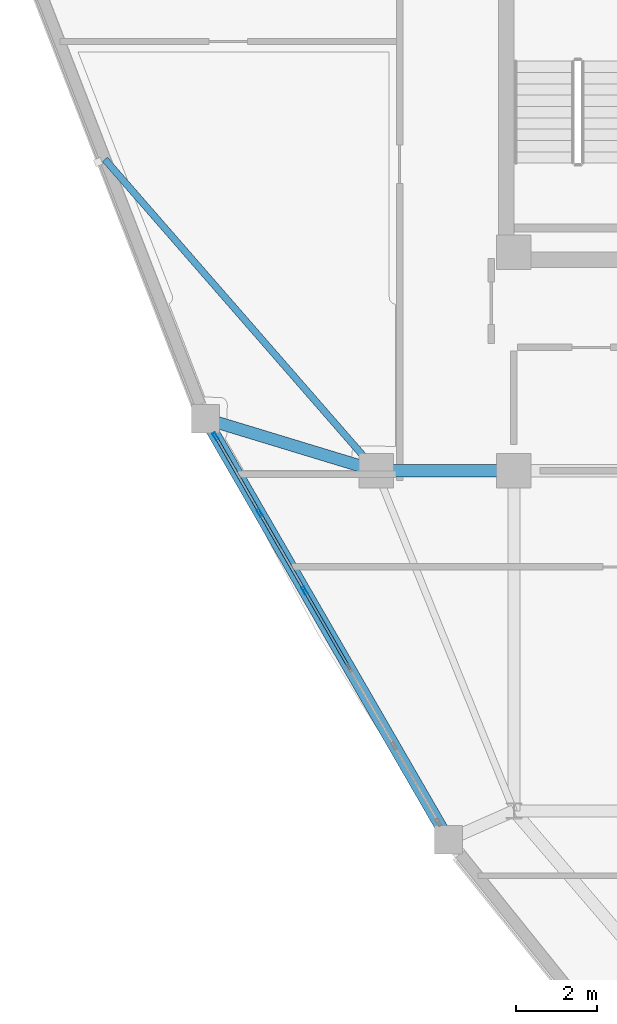
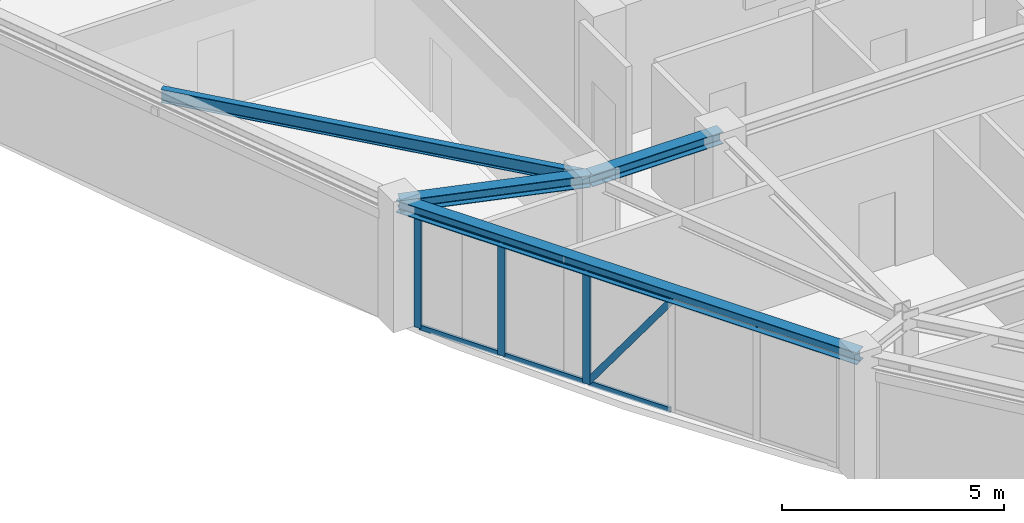
# One storey, part 5 of 16: 10 members, 4 beams, 1 element without a shape of its own.
"""IFC4 building model written with IfcOpenShell, lengths in metres."""

from ifc_helpers import new_model, si_unit, derived_unit, direction, frame, origin, origin_2d, place, context, subcontext, project, spatial, hollow_rectangle, i_section, extrude, source, transform, mapped, material, layer, layer_set, material_profile, profile_set, type_object, element, aggregate, save


model = new_model("IFC4")

# Units and contexts
model_context = context("Model", 3, precision=1e-05, world=origin(), true_north=direction((0.0, 1.0)))
body_context = subcontext(model_context, "Body", "Model", "MODEL_VIEW")
ifc_project = project(units=[si_unit("LENGTHUNIT", "METRE"), si_unit("AREAUNIT", "SQUARE_METRE"), si_unit("VOLUMEUNIT", "CUBIC_METRE"), si_unit("PLANEANGLEUNIT", "RADIAN"), si_unit("MASSUNIT", "GRAM", prefix="KILO"), derived_unit("THERMALTRANSMITTANCEUNIT", [(si_unit("POWERUNIT", "WATT"), 1), (si_unit("LENGTHUNIT", "METRE"), -2), (si_unit("THERMODYNAMICTEMPERATUREUNIT", "KELVIN"), -1)])], contexts=[model_context])

# Site, building, storey
site_placement = place(None, origin())
site = spatial("IfcSite", under=ifc_project, at=site_placement, CompositionType="ELEMENT")
building_placement = place(site_placement, origin())
building = spatial("IfcBuilding", under=site, at=building_placement, Name="Korsvarv Bourse and Concert Hall", CompositionType="ELEMENT")
storey_placement = place(building_placement, frame((0.0, 0.0, 243.0)))
storey = spatial("IfcBuildingStorey", under=building, at=storey_placement, Name="L63", CompositionType="ELEMENT", Elevation=243.0)

# Beams
ifc_material_1 = material(Name="Steel S355", Category="steel")
ifc_material_profile_1 = material_profile(ifc_material_1, i_section(OverallWidth=0.300048828125, OverallDepth=0.330078125, WebThickness=0.009521484375, FlangeThickness=0.0166015625, FilletRadius=0.02099609375, at=origin_2d()), Name="HEA 340")
ifc_profile_set_1 = profile_set([ifc_material_profile_1], Name="Steel S355")
beam_type_1 = type_object("IfcBeamType", Name="BM-HEA340", PredefinedType="BEAM", material=ifc_profile_set_1)
shared_shape_1 = source(origin(), body_context, "Body", "SweptSolid", [
    extrude(i_section(OverallWidth=0.300048828125, OverallDepth=0.330078125, WebThickness=0.009521484375, FlangeThickness=0.0166015625, FilletRadius=0.02099609375, at=origin_2d()), origin(), (0.0, 0.0, 1.0), 3.400146484375),
])
beam_1_placement = place(storey_placement, frame((24.199951171875, 32.39990234375, 3.2451171875), z_axis=(1.0, 0.0, 0.0), x_axis=(0.0, 1.0, 0.0)))
element("IfcBeam", 1, at=beam_1_placement, inside=storey, type_object=beam_type_1, Name="L63 beam B-12", PredefinedType="BEAM", context=body_context, shape_type="MappedRepresentation", body=[
    mapped(shared_shape_1, transform((0.0, 0.0, 0.0), scale=1.0)),
])
shared_shape_2 = source(origin(), body_context, "Body", "SweptSolid", [
    extrude(i_section(OverallWidth=0.300048828125, OverallDepth=0.330078125, WebThickness=0.009521484375, FlangeThickness=0.0166015625, FilletRadius=0.02099609375, at=origin_2d()), origin(), (0.0, 0.0, 1.0), 12.0087890625),
])
beam_2_placement = place(storey_placement, frame((19.97900390625, 33.68359375, 3.2451171875), z_axis=(0.500000506726, -0.866025111226, 0.0), x_axis=(0.866025111226, 0.500000506726, 0.0)))
element("IfcBeam", 2, at=beam_2_placement, inside=storey, type_object=beam_type_1, Name="L63 beam B-12", PredefinedType="BEAM", context=body_context, shape_type="MappedRepresentation", body=[
    mapped(shared_shape_2, transform((0.0, 0.0, 0.0), scale=1.0)),
])
shared_shape_3 = source(origin(), body_context, "Body", "SweptSolid", [
    extrude(i_section(OverallWidth=0.300048828125, OverallDepth=0.330078125, WebThickness=0.009521484375, FlangeThickness=0.0166015625, FilletRadius=0.02099609375, at=origin_2d()), origin(), (0.0, 0.0, 1.0), 4.411865234375),
])
beam_3_placement = place(storey_placement, frame((19.97900390625, 33.68359375, 3.2451171875), z_axis=(0.956733506354, -0.290965629962, 0.0), x_axis=(0.290965629962, 0.956733506354, 0.0)))
element("IfcBeam", 3, at=beam_3_placement, inside=storey, type_object=beam_type_1, Name="L63 beam B-12", PredefinedType="BEAM", context=body_context, shape_type="MappedRepresentation", body=[
    mapped(shared_shape_3, transform((0.0, 0.0, 0.0), scale=1.0)),
])
ifc_material_profile_2 = material_profile(ifc_material_1, i_section(OverallWidth=0.169921875, OverallDepth=0.360107421875, WebThickness=0.008056640625, FlangeThickness=0.0126953125, FilletRadius=0.01806640625, at=origin_2d()), Name="IPE 360")
ifc_profile_set_2 = profile_set([ifc_material_profile_2], Name="Steel S355")
beam_type_2 = type_object("IfcBeamType", Name="BM-IPE360", PredefinedType="JOIST", material=ifc_profile_set_2)
shared_shape_4 = source(origin(), body_context, "Body", "SweptSolid", [
    extrude(i_section(OverallWidth=0.169921875, OverallDepth=0.360107421875, WebThickness=0.008056640625, FlangeThickness=0.0126953125, FilletRadius=0.01806640625, at=origin_2d()), origin(), (0.0, 0.0, 1.0), 10.204833984375),
])
beam_4_placement = place(storey_placement, frame((17.49560546875, 40.093505859375, 3.22998046875), z_axis=(0.656973813092, -0.753913396161, 0.0), x_axis=(0.753913396161, 0.656973813092, 0.0)))
element("IfcBeam", 4, at=beam_4_placement, inside=storey, type_object=beam_type_2, Name="L63 beam J-06", PredefinedType="JOIST", context=body_context, shape_type="MappedRepresentation", body=[
    mapped(shared_shape_4, transform((0.0, 0.0, 0.0), scale=1.0)),
])

# Curtain wall, members
ifc_material_2 = material(Name="Anodised aluminium and triple low-E glazing", Category="glass")
ifc_layer = layer(ifc_material_2, 0.199951171875)
ifc_layer_set = layer_set([ifc_layer], Name="Anodised aluminium and triple low-E glazing")
curtain_wall_type = type_object("IfcCurtainWallType", Name="CW-SYS-3", PredefinedType="NOTDEFINED", material=ifc_layer_set)
curtain_wall_placement = place(storey_placement, origin())
curtain_wall = element("IfcCurtainWall", 5, at=curtain_wall_placement, inside=storey, type_object=curtain_wall_type, Name="L63 CW3 curtain wall CW-L63-F07", PredefinedType="NOTDEFINED")
ifc_material_3 = material(Name="Extruded aluminium EN AW-6063 T66", Category="aluminium")
ifc_material_profile_3 = material_profile(ifc_material_3, hollow_rectangle(XDim=0.06494140625, YDim=0.1650390625, WallThickness=0.0048828125, at=origin_2d()), Name="ALU-M 65x165")
ifc_profile_set_3 = profile_set([ifc_material_profile_3], Name="Extruded aluminium EN AW-6063 T66")
member_type_1 = type_object("IfcMemberType", Name="CWM-165", PredefinedType="MULLION", material=ifc_profile_set_3)
shared_shape_5 = source(origin(), body_context, "Body", "SweptSolid", [
    extrude(hollow_rectangle(XDim=0.06494140625, YDim=0.1650390625, WallThickness=0.0048828125, at=origin_2d()), origin(), (0.0, 0.0, 1.0), 3.6484375),
])
member_1_placement = place(storey_placement, frame((22.444580078125, 29.413330078125, 0.06494140625), z_axis=(0.294223355119, -0.509621349235, 0.808528724107), x_axis=(0.866030310389, 0.499991501415, 0.0)))
member_1 = element("IfcMember", 6, at=member_1_placement, type_object=member_type_1, Name="CW3 diagonal mullion 3", PredefinedType="MULLION", context=body_context, shape_type="MappedRepresentation", body=[
    mapped(shared_shape_5, transform((0.0, 0.0, 0.0), scale=1.0)),
])
ifc_material_profile_4 = material_profile(ifc_material_3, hollow_rectangle(XDim=0.070068359375, YDim=0.18994140625, WallThickness=0.0048828125, at=origin_2d()), Name="ALU-M 70x190")
ifc_profile_set_4 = profile_set([ifc_material_profile_4], Name="Extruded aluminium EN AW-6063 T66")
member_type_2 = type_object("IfcMemberType", Name="CWM-190", PredefinedType="MULLION", material=ifc_profile_set_4)
shared_shape_6 = source(origin(), body_context, "Body", "SweptSolid", [
    extrude(hollow_rectangle(XDim=0.070068359375, YDim=0.18994140625, WallThickness=0.0048828125, at=origin_2d()), origin(), (0.0, 0.0, 1.0), 3.080078125),
])
member_2_placement = place(storey_placement, frame((20.2275390625, 33.253173828125, 0.0), z_axis=(0.0, 0.0, 1.0), x_axis=(0.866021686907, 0.500006437765, 0.0)))
member_2 = element("IfcMember", 7, at=member_2_placement, type_object=member_type_2, Name="CW3 mullion 1", PredefinedType="MULLION", context=body_context, shape_type="MappedRepresentation", body=[
    mapped(shared_shape_6, transform((0.0, 0.0, 0.0), scale=1.0)),
])
member_3_placement = place(storey_placement, frame((21.318603515625, 31.363525390625, 0.0), z_axis=(0.0, 0.0, 1.0), x_axis=(0.866021686907, 0.500006437765, 0.0)))
member_3 = element("IfcMember", 8, at=member_3_placement, type_object=member_type_2, Name="CW3 mullion 2", PredefinedType="MULLION", context=body_context, shape_type="MappedRepresentation", body=[
    mapped(shared_shape_6, transform((0.0, 0.0, 0.0), scale=1.0)),
])
member_4_placement = place(storey_placement, frame((22.427001953125, 29.443603515625, 0.0), z_axis=(0.0, 0.0, 1.0), x_axis=(0.866021686907, 0.500006437765, 0.0)))
member_4 = element("IfcMember", 9, at=member_4_placement, type_object=member_type_2, Name="CW3 mullion 3", PredefinedType="MULLION", context=body_context, shape_type="MappedRepresentation", body=[
    mapped(shared_shape_6, transform((0.0, 0.0, 0.0), scale=1.0)),
])
ifc_material_profile_5 = material_profile(ifc_material_3, hollow_rectangle(XDim=0.06494140625, YDim=0.139892578125, WallThickness=0.00390625, at=origin_2d()), Name="ALU-T 65x140")
ifc_profile_set_5 = profile_set([ifc_material_profile_5], Name="Extruded aluminium EN AW-6063 T66")
member_type_3 = type_object("IfcMemberType", Name="CWT-140", PredefinedType="USERDEFINED", material=ifc_profile_set_5)
shared_shape_7 = source(origin(), body_context, "Body", "SweptSolid", [
    extrude(hollow_rectangle(XDim=0.06494140625, YDim=0.139892578125, WallThickness=0.00390625, at=origin_2d()), origin(), (0.0, 0.0, 1.0), 2.11181640625),
])
member_5_placement = place(storey_placement, frame((20.2451171875, 33.222900390625, 0.032470703125), z_axis=(0.500005994294, -0.86602194295, 0.0), x_axis=(0.86602194295, 0.500005994294, 0.0)))
member_5 = element("IfcMember", 10, at=member_5_placement, type_object=member_type_3, Name="CW3 transom 1.1", ObjectType="TRANSOM", PredefinedType="USERDEFINED", context=body_context, shape_type="MappedRepresentation", body=[
    mapped(shared_shape_7, transform((0.0, 0.0, 0.0), scale=1.0)),
])
member_6_placement = place(storey_placement, frame((20.2451171875, 33.222900390625, 3.047607421875), z_axis=(0.500005994294, -0.86602194295, 0.0), x_axis=(0.86602194295, 0.500005994294, 0.0)))
member_6 = element("IfcMember", 11, at=member_6_placement, type_object=member_type_3, Name="CW3 transom 1.2", ObjectType="TRANSOM", PredefinedType="USERDEFINED", context=body_context, shape_type="MappedRepresentation", body=[
    mapped(shared_shape_7, transform((0.0, 0.0, 0.0), scale=1.0)),
])
shared_shape_8 = source(origin(), body_context, "Body", "SweptSolid", [
    extrude(hollow_rectangle(XDim=0.06494140625, YDim=0.139892578125, WallThickness=0.00390625, at=origin_2d()), origin(), (0.0, 0.0, 1.0), 2.14697265625),
])
member_7_placement = place(storey_placement, frame((21.3359375, 31.333251953125, 0.032470703125), z_axis=(0.499991501415, -0.866030310389, 0.0), x_axis=(0.866030310389, 0.499991501415, 0.0)))
member_7 = element("IfcMember", 12, at=member_7_placement, type_object=member_type_3, Name="CW3 transom 2.1", ObjectType="TRANSOM", PredefinedType="USERDEFINED", context=body_context, shape_type="MappedRepresentation", body=[
    mapped(shared_shape_8, transform((0.0, 0.0, 0.0), scale=1.0)),
])
member_8_placement = place(storey_placement, frame((21.3359375, 31.333251953125, 3.047607421875), z_axis=(0.499991501415, -0.866030310389, 0.0), x_axis=(0.866030310389, 0.499991501415, 0.0)))
member_8 = element("IfcMember", 13, at=member_8_placement, type_object=member_type_3, Name="CW3 transom 2.2", ObjectType="TRANSOM", PredefinedType="USERDEFINED", context=body_context, shape_type="MappedRepresentation", body=[
    mapped(shared_shape_8, transform((0.0, 0.0, 0.0), scale=1.0)),
])
member_9_placement = place(storey_placement, frame((22.444580078125, 29.413330078125, 0.032470703125), z_axis=(0.499991501415, -0.866030310389, 0.0), x_axis=(0.866030310389, 0.499991501415, 0.0)))
member_9 = element("IfcMember", 14, at=member_9_placement, type_object=member_type_3, Name="CW3 transom 3.1", ObjectType="TRANSOM", PredefinedType="USERDEFINED", context=body_context, shape_type="MappedRepresentation", body=[
    mapped(shared_shape_8, transform((0.0, 0.0, 0.0), scale=1.0)),
])
member_10_placement = place(storey_placement, frame((22.444580078125, 29.413330078125, 3.047607421875), z_axis=(0.499991501415, -0.866030310389, 0.0), x_axis=(0.866030310389, 0.499991501415, 0.0)))
member_10 = element("IfcMember", 15, at=member_10_placement, type_object=member_type_3, Name="CW3 transom 3.2", ObjectType="TRANSOM", PredefinedType="USERDEFINED", context=body_context, shape_type="MappedRepresentation", body=[
    mapped(shared_shape_8, transform((0.0, 0.0, 0.0), scale=1.0)),
])
aggregate(curtain_wall, [member_2, member_3, member_4, member_5, member_6, member_7, member_8, member_9, member_10, member_1])

save(model, "model.ifc")
